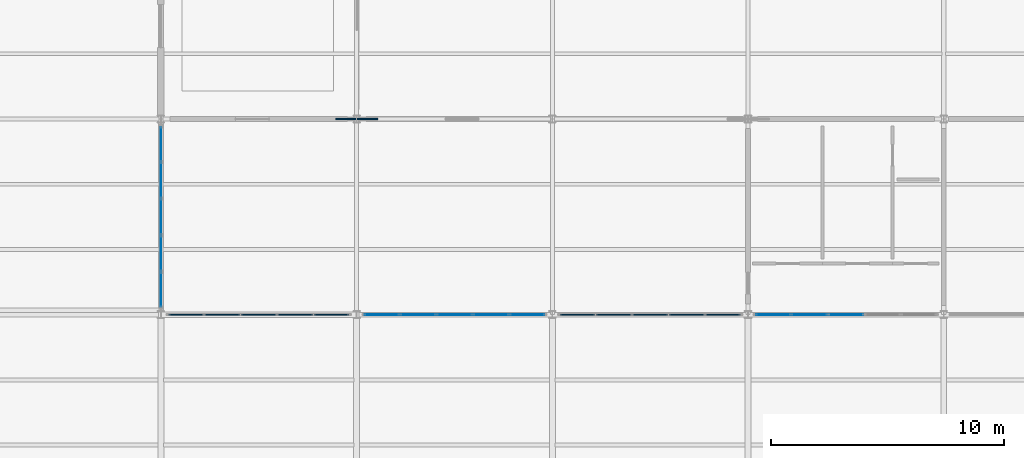
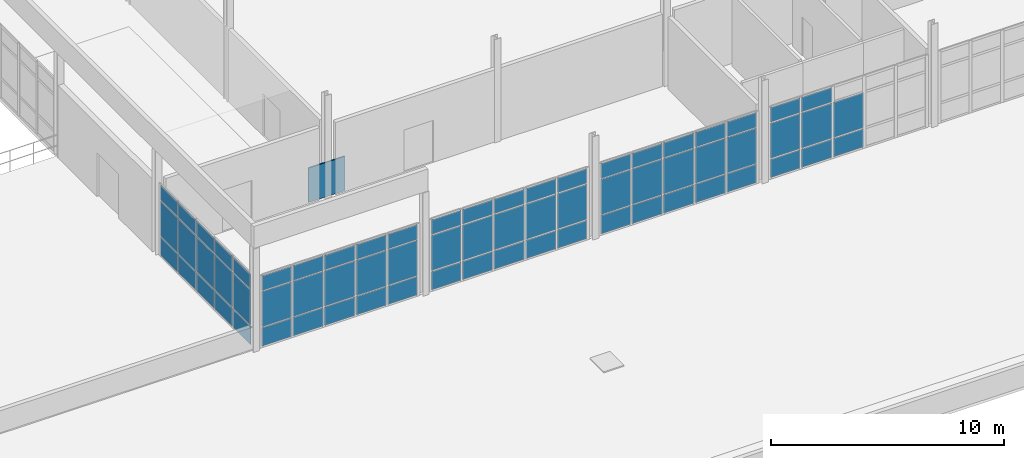
# One storey, part 24 of 33: 69 plates, 5 elements without a shape of their own.
"""IFC4 building model written with IfcOpenShell, lengths in metres."""

import ifcopenshell
import ifcopenshell.guid

model = None  # the IFC model being written
_history = None  # IfcOwnerHistory: only IFC2X3 demands one
_inside = {}  # id of a spatial element -> (the spatial element, [elements in it])
_under = {}  # id of a project, library or spatial element -> (it, [spatial elements below it])
_declared = {}  # id of a project -> (the project, [libraries it declares])
_typed = {}  # id of a type object -> (the type object, [elements of that type])
_made_of = {}  # id of a material, layer set ... -> (it, [elements and type objects made of it])


def new_model(schema):
    """Start an empty IFC model of exactly this schema.

    Asked for "IFC4X3", IfcOpenShell would pick the latest addendum, in which some entities
    have other attributes; the version numbers below select the first issue.
    IFC2X3 requires an IfcOwnerHistory on every rooted entity: one is made here for all.
    """
    global model, _history
    if schema == "IFC4X3":
        model = ifcopenshell.file(schema_version=(4, 3, 0, 0))
    else:
        model = ifcopenshell.file(schema=schema)
    _inside.clear()
    _under.clear()
    _declared.clear()
    _typed.clear()
    _made_of.clear()
    _history = None
    if model.schema == "IFC2X3":
        org = make("IfcOrganization", Name="unknown")
        user = make(
            "IfcPersonAndOrganization",
            ThePerson=make("IfcPerson", FamilyName="unknown"),
            TheOrganization=org,
        )
        app = make(
            "IfcApplication",
            ApplicationDeveloper=org,
            Version="unknown",
            ApplicationFullName="unknown",
            ApplicationIdentifier="unknown",
        )
        _history = make(
            "IfcOwnerHistory",
            OwningUser=user,
            OwningApplication=app,
            ChangeAction="ADDED",
            CreationDate=0,
        )
    return model


def make(cls, **values):
    """One entity of the class cls with the attributes given. An attribute that is None is left unset."""
    return model.create_entity(
        cls, **{name: value for name, value in values.items() if value is not None}
    )


def rooted(cls, **values):
    """An entity with a GlobalId (a new one), such as an element, a storey or a relation."""
    return make(cls, GlobalId=ifcopenshell.guid.new(), OwnerHistory=_history, **values)


def si_unit(unit_type, name, prefix=None):
    """IfcSIUnit, for example si_unit("LENGTHUNIT", "METRE", prefix="MILLI")."""
    return make("IfcSIUnit", UnitType=unit_type, Prefix=prefix, Name=name)


def assignment(units):
    """IfcUnitAssignment: the units of a project."""
    return None if units is None else make("IfcUnitAssignment", Units=units)


def point(xyz):
    """IfcCartesianPoint."""
    return None if xyz is None else make("IfcCartesianPoint", Coordinates=xyz)


def direction(xyz):
    """IfcDirection."""
    return None if xyz is None else make("IfcDirection", DirectionRatios=xyz)


def frame(location, z_axis=None, x_axis=None):
    """IfcAxis2Placement3D, a coordinate frame: its origin and axes. An axis left out is left unset."""
    return make(
        "IfcAxis2Placement3D",
        Location=point(location),
        Axis=direction(z_axis),
        RefDirection=direction(x_axis),
    )


def frame_2d(location, x_axis=None):
    """IfcAxis2Placement2D, a coordinate frame in the plane: its origin and x axis."""
    return make(
        "IfcAxis2Placement2D", Location=point(location), RefDirection=direction(x_axis)
    )


def origin():
    """The frame at (0, 0, 0) with its axes left unset."""
    return frame((0.0, 0.0, 0.0))


def origin_2d():
    """The frame at (0, 0) in the plane with its x axis left unset."""
    return frame_2d((0.0, 0.0))


def place(relative_to, where):
    """IfcLocalPlacement: puts the frame where relative to a parent placement (None: the world)."""
    return make(
        "IfcLocalPlacement", PlacementRelTo=relative_to, RelativePlacement=where
    )


def context(
    kind, dimensions, precision=None, world=None, true_north=None, identifier=None
):
    """IfcGeometricRepresentationContext, for example the 3D "Model" context."""
    return make(
        "IfcGeometricRepresentationContext",
        ContextIdentifier=identifier,
        ContextType=kind,
        CoordinateSpaceDimension=dimensions,
        Precision=precision,
        WorldCoordinateSystem=world,
        TrueNorth=true_north,
    )


def subcontext(parent, identifier, kind, view, scale=None):
    """IfcGeometricRepresentationSubContext, for example "Body" below "Model"."""
    return make(
        "IfcGeometricRepresentationSubContext",
        ContextIdentifier=identifier,
        ContextType=kind,
        ParentContext=parent,
        TargetScale=scale,
        TargetView=view,
    )


def project(units=None, contexts=None):
    """IfcProject with its units and contexts."""
    return rooted(
        "IfcProject",
        Name="project",
        RepresentationContexts=contexts,
        UnitsInContext=assignment(units),
    )


def spatial(cls, under=None, at=None, **own):
    """A site, building, storey or space (cls), placed at a placement, below another one or the project."""
    s = rooted(cls, ObjectPlacement=at, **own)
    if under is not None:
        _under.setdefault(under.id(), (under, []))[1].append(s)
    return s


def profile(cls, at=None, kind="AREA", **sizes):
    """A parametric profile (cls). Its sizes go by their IFC names, for example OverallWidth=200.0."""
    return make(cls, ProfileType=kind, Position=at, **sizes)


def rectangle(**sizes):
    """IfcRectangleProfileDef."""
    return profile("IfcRectangleProfileDef", **sizes)


def extrude(swept, where, along, depth):
    """IfcExtrudedAreaSolid: the profile swept, set in the frame where, extruded along a direction by depth."""
    return make(
        "IfcExtrudedAreaSolid",
        SweptArea=swept,
        Position=where,
        ExtrudedDirection=direction(along),
        Depth=depth,
    )


def shape(context_of_items, identifier, shape_type, items):
    """IfcShapeRepresentation: the items that make up one representation, for example the "Body"."""
    return make(
        "IfcShapeRepresentation",
        ContextOfItems=context_of_items,
        RepresentationIdentifier=identifier,
        RepresentationType=shape_type,
        Items=items,
    )


def material(Name=None, Category=None):
    """IfcMaterial."""
    return make("IfcMaterial", Name=Name, Category=Category)


def layer(
    of_material, thickness, ventilated=None, Name=None, Category=None, Priority=None
):
    """IfcMaterialLayer: one layer of a wall or slab, of a material (None: an air gap)."""
    return make(
        "IfcMaterialLayer",
        Material=of_material,
        LayerThickness=thickness,
        IsVentilated=ventilated,
        Name=Name,
        Category=Category,
        Priority=Priority,
    )


def layer_set(layers, Name=None):
    """IfcMaterialLayerSet."""
    return make("IfcMaterialLayerSet", MaterialLayers=layers, LayerSetName=Name)


def made_of(thing, what):
    """Note that an element or type object is made of a material, layer set ...; save() writes the relation."""
    if what is not None:
        _made_of.setdefault(what.id(), (what, []))[1].append(thing)
    return thing


def type_object(cls, material=None, **own):
    """A type object (cls), such as IfcWallType, which elements share."""
    return made_of(rooted(cls, **own), material)


def element(
    cls,
    number,
    at=None,
    inside=None,
    cuts=None,
    type_object=None,
    material=None,
    context=None,
    identifier="Body",
    shape_type=None,
    held_by="IfcProductDefinitionShape",
    body=None,
    shapes=None,
    **own,
):
    """One element of the class cls, such as IfcWall. Its Tag is "e" and its number.

    at: its placement. inside: the storey or other place that contains it. cuts: it is an
    opening in that element (IfcRelVoidsElement). A single representation is given by context,
    identifier, shape_type and body (its items); several are given by shapes. held_by: the class
    of the entity that holds the representations. save() writes the other relations.
    """
    e = rooted(cls, Tag="e%d" % number, ObjectPlacement=at, **own)
    if body is not None:
        shapes = [shape(context, identifier, shape_type, body)]
    if shapes is not None:
        e.Representation = make(held_by, Representations=shapes)
    if inside is not None:
        _inside.setdefault(inside.id(), (inside, []))[1].append(e)
    if cuts is not None:
        rooted(
            "IfcRelVoidsElement", RelatingBuildingElement=cuts, RelatedOpeningElement=e
        )
    if type_object is not None:
        _typed.setdefault(type_object.id(), (type_object, []))[1].append(e)
    return made_of(e, material)


def aggregate(whole, parts):
    """IfcRelAggregates: a whole, such as a stair, and the parts it consists of."""
    return rooted("IfcRelAggregates", RelatingObject=whole, RelatedObjects=parts)


def save(model, path):
    """Write the relations noted so far, then the file.

    IfcRelAggregates (storeys below a building ...), IfcRelContainedInSpatialStructure (elements
    in a storey), IfcRelDefinesByType, IfcRelAssociatesMaterial and IfcRelDeclares: one each for
    every whole, place, type object, material and project.
    """
    for whole, parts in _under.values():
        aggregate(whole, parts)
    for where, things in _inside.values():
        rooted(
            "IfcRelContainedInSpatialStructure",
            RelatedElements=things,
            RelatingStructure=where,
        )
    for kind, things in _typed.values():
        rooted("IfcRelDefinesByType", RelatedObjects=things, RelatingType=kind)
    for what, things in _made_of.values():
        rooted("IfcRelAssociatesMaterial", RelatedObjects=things, RelatingMaterial=what)
    for by, libraries in _declared.values():
        rooted("IfcRelDeclares", RelatingContext=by, RelatedDefinitions=libraries)
    model.write(path)


model = new_model("IFC4")

# Units and contexts
model_context = context("Model", 3, precision=1e-05, world=origin(), true_north=direction((0.0, 1.0)))
body_context = subcontext(model_context, "Body", "Model", "MODEL_VIEW")
ifc_project = project(units=[si_unit("LENGTHUNIT", "METRE"), si_unit("AREAUNIT", "SQUARE_METRE"), si_unit("VOLUMEUNIT", "CUBIC_METRE"), si_unit("PLANEANGLEUNIT", "RADIAN"), si_unit("MASSUNIT", "GRAM", prefix="KILO"), si_unit("THERMODYNAMICTEMPERATUREUNIT", "KELVIN"), si_unit("POWERUNIT", "WATT")], contexts=[model_context])

# Site, building, storey
site_placement = place(None, origin())
site = spatial("IfcSite", under=ifc_project, at=site_placement, CompositionType="ELEMENT")
building_placement = place(site_placement, origin())
building = spatial("IfcBuilding", under=site, at=building_placement, Name="Tembeka Court Mobility Hub", CompositionType="ELEMENT")
storey_placement = place(building_placement, frame((0.0, 0.0, 23.39990234375)))
storey = spatial("IfcBuildingStorey", under=building, at=storey_placement, Name="L06", CompositionType="ELEMENT", Elevation=23.39990234375)

# Plate
ifc_material_1 = material(Name="Perforated anodised aluminium acoustic screen", Category="aluminium")
ifc_layer_1 = layer(ifc_material_1, 0.06396484375)
ifc_layer_set_1 = layer_set([ifc_layer_1], Name="Perforated anodised aluminium acoustic screen")
plate_type_1 = type_object("IfcPlateType", Name="PL-AC01", PredefinedType="SHEET", material=ifc_layer_set_1)
plate_1_placement = place(storey_placement, frame((42.0, 46.800048828125, 0.0), z_axis=(0.0, 0.0, 1.0), x_axis=(1.0, 0.0, 0.0)))
element("IfcPlate", 1, at=plate_1_placement, inside=storey, type_object=plate_type_1, Name="Concourse acoustic baffle screen AP01-1", PredefinedType="SHEET", context=body_context, shape_type="SweptSolid", body=[
    extrude(rectangle(XDim=1.800048828125, YDim=0.06396484375, at=origin_2d()), origin(), (0.0, 0.0, 1.0), 1.800048828125),
])

# Curtain wall, plates
ifc_material_2 = material(Name="Anodised aluminium 6063-T6", Category="aluminium")
ifc_layer_2 = layer(ifc_material_2, 0.159912109375)
ifc_layer_set_2 = layer_set([ifc_layer_2], Name="Anodised aluminium 6063-T6")
curtain_wall_type = type_object("IfcCurtainWallType", Name="CW-SYS57", PredefinedType="USERDEFINED", material=ifc_layer_set_2)
curtain_wall_1_placement = place(storey_placement, origin())
curtain_wall_1 = element("IfcCurtainWall", 2, at=curtain_wall_1_placement, inside=storey, type_object=curtain_wall_type, Name="Unitised curtain wall CW57 (CW-L06-150)", ObjectType="UNITISED GLAZING", PredefinedType="USERDEFINED")
ifc_material_3 = material(Name="Laminated solar-control low-E glass", Category="glass")
ifc_layer_3 = layer(ifc_material_3, 0.028076171875)
ifc_layer_set_3 = layer_set([ifc_layer_3], Name="Laminated solar-control low-E glass")
plate_type_2 = type_object("IfcPlateType", Name="PL-CW01", PredefinedType="CURTAIN_PANEL", material=ifc_layer_set_3)
plate_2_placement = place(storey_placement, frame((33.60009765625, 39.480224609375, 0.06494140625), z_axis=(0.0, 0.0, 1.0), x_axis=(0.0, 1.0, 0.0)))
plate_2 = element("IfcPlate", 3, at=plate_2_placement, type_object=plate_type_2, Name="CW57 panel 1.1", PredefinedType="CURTAIN_PANEL", context=body_context, shape_type="SweptSolid", body=[
    extrude(rectangle(XDim=1.470458984375, YDim=0.028076171875, at=origin_2d()), origin(), (0.0, 0.0, 1.0), 0.952392578125),
])
plate_3_placement = place(storey_placement, frame((33.60009765625, 39.480224609375, 1.08251953125), z_axis=(0.0, 0.0, 1.0), x_axis=(0.0, 1.0, 0.0)))
plate_3 = element("IfcPlate", 4, at=plate_3_placement, type_object=plate_type_2, Name="CW57 panel 1.2", PredefinedType="CURTAIN_PANEL", context=body_context, shape_type="SweptSolid", body=[
    extrude(rectangle(XDim=1.470458984375, YDim=0.028076171875, at=origin_2d()), origin(), (0.0, 0.0, 1.0), 1.830078125),
])
plate_4_placement = place(storey_placement, frame((33.60009765625, 39.480224609375, 2.9775390625), z_axis=(0.0, 0.0, 1.0), x_axis=(0.0, 1.0, 0.0)))
plate_4 = element("IfcPlate", 5, at=plate_4_placement, type_object=plate_type_2, Name="CW57 panel 1.3", PredefinedType="CURTAIN_PANEL", context=body_context, shape_type="SweptSolid", body=[
    extrude(rectangle(XDim=1.470458984375, YDim=0.028076171875, at=origin_2d()), origin(), (0.0, 0.0, 1.0), 0.75244140625),
])
plate_5_placement = place(storey_placement, frame((33.60009765625, 41.031982421875, 0.06494140625), z_axis=(0.0, 0.0, 1.0), x_axis=(0.0, 1.0, 0.0)))
plate_5 = element("IfcPlate", 6, at=plate_5_placement, type_object=plate_type_2, Name="CW57 panel 2.1", PredefinedType="CURTAIN_PANEL", context=body_context, shape_type="SweptSolid", body=[
    extrude(rectangle(XDim=1.5029296875, YDim=0.028076171875, at=origin_2d()), origin(), (0.0, 0.0, 1.0), 0.952392578125),
])
plate_6_placement = place(storey_placement, frame((33.60009765625, 41.031982421875, 1.08251953125), z_axis=(0.0, 0.0, 1.0), x_axis=(0.0, 1.0, 0.0)))
plate_6 = element("IfcPlate", 7, at=plate_6_placement, type_object=plate_type_2, Name="CW57 panel 2.2", PredefinedType="CURTAIN_PANEL", context=body_context, shape_type="SweptSolid", body=[
    extrude(rectangle(XDim=1.5029296875, YDim=0.028076171875, at=origin_2d()), origin(), (0.0, 0.0, 1.0), 1.830078125),
])
plate_7_placement = place(storey_placement, frame((33.60009765625, 41.031982421875, 2.9775390625), z_axis=(0.0, 0.0, 1.0), x_axis=(0.0, 1.0, 0.0)))
plate_7 = element("IfcPlate", 8, at=plate_7_placement, type_object=plate_type_2, Name="CW57 panel 2.3", PredefinedType="CURTAIN_PANEL", context=body_context, shape_type="SweptSolid", body=[
    extrude(rectangle(XDim=1.5029296875, YDim=0.028076171875, at=origin_2d()), origin(), (0.0, 0.0, 1.0), 0.75244140625),
])
plate_8_placement = place(storey_placement, frame((33.60009765625, 42.60009765625, 0.06494140625), z_axis=(0.0, 0.0, 1.0), x_axis=(0.0, 1.0, 0.0)))
plate_8 = element("IfcPlate", 9, at=plate_8_placement, type_object=plate_type_2, Name="CW57 panel 3.1", PredefinedType="CURTAIN_PANEL", context=body_context, shape_type="SweptSolid", body=[
    extrude(rectangle(XDim=1.5029296875, YDim=0.028076171875, at=origin_2d()), origin(), (0.0, 0.0, 1.0), 0.952392578125),
])
plate_9_placement = place(storey_placement, frame((33.60009765625, 42.60009765625, 1.08251953125), z_axis=(0.0, 0.0, 1.0), x_axis=(0.0, 1.0, 0.0)))
plate_9 = element("IfcPlate", 10, at=plate_9_placement, type_object=plate_type_2, Name="CW57 panel 3.2", PredefinedType="CURTAIN_PANEL", context=body_context, shape_type="SweptSolid", body=[
    extrude(rectangle(XDim=1.5029296875, YDim=0.028076171875, at=origin_2d()), origin(), (0.0, 0.0, 1.0), 1.830078125),
])
plate_10_placement = place(storey_placement, frame((33.60009765625, 42.60009765625, 2.9775390625), z_axis=(0.0, 0.0, 1.0), x_axis=(0.0, 1.0, 0.0)))
plate_10 = element("IfcPlate", 11, at=plate_10_placement, type_object=plate_type_2, Name="CW57 panel 3.3", PredefinedType="CURTAIN_PANEL", context=body_context, shape_type="SweptSolid", body=[
    extrude(rectangle(XDim=1.5029296875, YDim=0.028076171875, at=origin_2d()), origin(), (0.0, 0.0, 1.0), 0.75244140625),
])
plate_11_placement = place(storey_placement, frame((33.60009765625, 44.16796875, 0.06494140625), z_axis=(0.0, 0.0, 1.0), x_axis=(0.0, 1.0, 0.0)))
plate_11 = element("IfcPlate", 12, at=plate_11_placement, type_object=plate_type_2, Name="CW57 panel 4.1", PredefinedType="CURTAIN_PANEL", context=body_context, shape_type="SweptSolid", body=[
    extrude(rectangle(XDim=1.5029296875, YDim=0.028076171875, at=origin_2d()), origin(), (0.0, 0.0, 1.0), 0.952392578125),
])
plate_12_placement = place(storey_placement, frame((33.60009765625, 44.16796875, 1.08251953125), z_axis=(0.0, 0.0, 1.0), x_axis=(0.0, 1.0, 0.0)))
plate_12 = element("IfcPlate", 13, at=plate_12_placement, type_object=plate_type_2, Name="CW57 panel 4.2", PredefinedType="CURTAIN_PANEL", context=body_context, shape_type="SweptSolid", body=[
    extrude(rectangle(XDim=1.5029296875, YDim=0.028076171875, at=origin_2d()), origin(), (0.0, 0.0, 1.0), 1.830078125),
])
plate_13_placement = place(storey_placement, frame((33.60009765625, 44.16796875, 2.9775390625), z_axis=(0.0, 0.0, 1.0), x_axis=(0.0, 1.0, 0.0)))
plate_13 = element("IfcPlate", 14, at=plate_13_placement, type_object=plate_type_2, Name="CW57 panel 4.3", PredefinedType="CURTAIN_PANEL", context=body_context, shape_type="SweptSolid", body=[
    extrude(rectangle(XDim=1.5029296875, YDim=0.028076171875, at=origin_2d()), origin(), (0.0, 0.0, 1.0), 0.75244140625),
])
plate_14_placement = place(storey_placement, frame((33.60009765625, 45.7197265625, 0.06494140625), z_axis=(0.0, 0.0, 1.0), x_axis=(0.0, 1.0, 0.0)))
plate_14 = element("IfcPlate", 15, at=plate_14_placement, type_object=plate_type_2, Name="CW57 panel 5.1", PredefinedType="CURTAIN_PANEL", context=body_context, shape_type="SweptSolid", body=[
    extrude(rectangle(XDim=1.470458984375, YDim=0.028076171875, at=origin_2d()), origin(), (0.0, 0.0, 1.0), 0.952392578125),
])
plate_15_placement = place(storey_placement, frame((33.60009765625, 45.7197265625, 1.08251953125), z_axis=(0.0, 0.0, 1.0), x_axis=(0.0, 1.0, 0.0)))
plate_15 = element("IfcPlate", 16, at=plate_15_placement, type_object=plate_type_2, Name="CW57 panel 5.2", PredefinedType="CURTAIN_PANEL", context=body_context, shape_type="SweptSolid", body=[
    extrude(rectangle(XDim=1.470458984375, YDim=0.028076171875, at=origin_2d()), origin(), (0.0, 0.0, 1.0), 1.830078125),
])
plate_16_placement = place(storey_placement, frame((33.60009765625, 45.7197265625, 2.9775390625), z_axis=(0.0, 0.0, 1.0), x_axis=(0.0, 1.0, 0.0)))
plate_16 = element("IfcPlate", 17, at=plate_16_placement, type_object=plate_type_2, Name="CW57 panel 5.3", PredefinedType="CURTAIN_PANEL", context=body_context, shape_type="SweptSolid", body=[
    extrude(rectangle(XDim=1.470458984375, YDim=0.028076171875, at=origin_2d()), origin(), (0.0, 0.0, 1.0), 0.75244140625),
])
aggregate(curtain_wall_1, [plate_2, plate_3, plate_4, plate_5, plate_6, plate_7, plate_8, plate_9, plate_10, plate_11, plate_12, plate_13, plate_14, plate_15, plate_16])

curtain_wall_2_placement = place(storey_placement, origin())
curtain_wall_2 = element("IfcCurtainWall", 18, at=curtain_wall_2_placement, inside=storey, type_object=curtain_wall_type, Name="Unitised curtain wall CW57 (CW-L06-154)", ObjectType="UNITISED GLAZING", PredefinedType="USERDEFINED")
plate_17_placement = place(storey_placement, frame((43.080322265625, 38.39990234375, 0.06494140625), z_axis=(0.0, 0.0, 1.0), x_axis=(1.0, 0.0, 0.0)))
plate_17 = element("IfcPlate", 19, at=plate_17_placement, type_object=plate_type_2, Name="CW57 panel 1.1", PredefinedType="CURTAIN_PANEL", context=body_context, shape_type="SweptSolid", body=[
    extrude(rectangle(XDim=1.470458984375, YDim=0.028076171875, at=origin_2d()), origin(), (0.0, 0.0, 1.0), 0.952392578125),
])
plate_18_placement = place(storey_placement, frame((43.080322265625, 38.39990234375, 1.08251953125), z_axis=(0.0, 0.0, 1.0), x_axis=(1.0, 0.0, 0.0)))
plate_18 = element("IfcPlate", 20, at=plate_18_placement, type_object=plate_type_2, Name="CW57 panel 1.2", PredefinedType="CURTAIN_PANEL", context=body_context, shape_type="SweptSolid", body=[
    extrude(rectangle(XDim=1.470458984375, YDim=0.028076171875, at=origin_2d()), origin(), (0.0, 0.0, 1.0), 1.830078125),
])
plate_19_placement = place(storey_placement, frame((43.080322265625, 38.39990234375, 2.9775390625), z_axis=(0.0, 0.0, 1.0), x_axis=(1.0, 0.0, 0.0)))
plate_19 = element("IfcPlate", 21, at=plate_19_placement, type_object=plate_type_2, Name="CW57 panel 1.3", PredefinedType="CURTAIN_PANEL", context=body_context, shape_type="SweptSolid", body=[
    extrude(rectangle(XDim=1.470458984375, YDim=0.028076171875, at=origin_2d()), origin(), (0.0, 0.0, 1.0), 0.75244140625),
])
plate_20_placement = place(storey_placement, frame((44.632080078125, 38.39990234375, 0.06494140625), z_axis=(0.0, 0.0, 1.0), x_axis=(1.0, 0.0, 0.0)))
plate_20 = element("IfcPlate", 22, at=plate_20_placement, type_object=plate_type_2, Name="CW57 panel 2.1", PredefinedType="CURTAIN_PANEL", context=body_context, shape_type="SweptSolid", body=[
    extrude(rectangle(XDim=1.5029296875, YDim=0.028076171875, at=origin_2d()), origin(), (0.0, 0.0, 1.0), 0.952392578125),
])
plate_21_placement = place(storey_placement, frame((44.632080078125, 38.39990234375, 1.08251953125), z_axis=(0.0, 0.0, 1.0), x_axis=(1.0, 0.0, 0.0)))
plate_21 = element("IfcPlate", 23, at=plate_21_placement, type_object=plate_type_2, Name="CW57 panel 2.2", PredefinedType="CURTAIN_PANEL", context=body_context, shape_type="SweptSolid", body=[
    extrude(rectangle(XDim=1.5029296875, YDim=0.028076171875, at=origin_2d()), origin(), (0.0, 0.0, 1.0), 1.830078125),
])
plate_22_placement = place(storey_placement, frame((44.632080078125, 38.39990234375, 2.9775390625), z_axis=(0.0, 0.0, 1.0), x_axis=(1.0, 0.0, 0.0)))
plate_22 = element("IfcPlate", 24, at=plate_22_placement, type_object=plate_type_2, Name="CW57 panel 2.3", PredefinedType="CURTAIN_PANEL", context=body_context, shape_type="SweptSolid", body=[
    extrude(rectangle(XDim=1.5029296875, YDim=0.028076171875, at=origin_2d()), origin(), (0.0, 0.0, 1.0), 0.75244140625),
])
plate_23_placement = place(storey_placement, frame((46.199951171875, 38.39990234375, 0.06494140625), z_axis=(0.0, 0.0, 1.0), x_axis=(1.0, 0.0, 0.0)))
plate_23 = element("IfcPlate", 25, at=plate_23_placement, type_object=plate_type_2, Name="CW57 panel 3.1", PredefinedType="CURTAIN_PANEL", context=body_context, shape_type="SweptSolid", body=[
    extrude(rectangle(XDim=1.5029296875, YDim=0.028076171875, at=origin_2d()), origin(), (0.0, 0.0, 1.0), 0.952392578125),
])
plate_24_placement = place(storey_placement, frame((46.199951171875, 38.39990234375, 1.08251953125), z_axis=(0.0, 0.0, 1.0), x_axis=(1.0, 0.0, 0.0)))
plate_24 = element("IfcPlate", 26, at=plate_24_placement, type_object=plate_type_2, Name="CW57 panel 3.2", PredefinedType="CURTAIN_PANEL", context=body_context, shape_type="SweptSolid", body=[
    extrude(rectangle(XDim=1.5029296875, YDim=0.028076171875, at=origin_2d()), origin(), (0.0, 0.0, 1.0), 1.830078125),
])
plate_25_placement = place(storey_placement, frame((46.199951171875, 38.39990234375, 2.9775390625), z_axis=(0.0, 0.0, 1.0), x_axis=(1.0, 0.0, 0.0)))
plate_25 = element("IfcPlate", 27, at=plate_25_placement, type_object=plate_type_2, Name="CW57 panel 3.3", PredefinedType="CURTAIN_PANEL", context=body_context, shape_type="SweptSolid", body=[
    extrude(rectangle(XDim=1.5029296875, YDim=0.028076171875, at=origin_2d()), origin(), (0.0, 0.0, 1.0), 0.75244140625),
])
plate_26_placement = place(storey_placement, frame((47.76806640625, 38.39990234375, 0.06494140625), z_axis=(0.0, 0.0, 1.0), x_axis=(1.0, 0.0, 0.0)))
plate_26 = element("IfcPlate", 28, at=plate_26_placement, type_object=plate_type_2, Name="CW57 panel 4.1", PredefinedType="CURTAIN_PANEL", context=body_context, shape_type="SweptSolid", body=[
    extrude(rectangle(XDim=1.5029296875, YDim=0.028076171875, at=origin_2d()), origin(), (0.0, 0.0, 1.0), 0.952392578125),
])
plate_27_placement = place(storey_placement, frame((47.76806640625, 38.39990234375, 1.08251953125), z_axis=(0.0, 0.0, 1.0), x_axis=(1.0, 0.0, 0.0)))
plate_27 = element("IfcPlate", 29, at=plate_27_placement, type_object=plate_type_2, Name="CW57 panel 4.2", PredefinedType="CURTAIN_PANEL", context=body_context, shape_type="SweptSolid", body=[
    extrude(rectangle(XDim=1.5029296875, YDim=0.028076171875, at=origin_2d()), origin(), (0.0, 0.0, 1.0), 1.830078125),
])
plate_28_placement = place(storey_placement, frame((47.76806640625, 38.39990234375, 2.9775390625), z_axis=(0.0, 0.0, 1.0), x_axis=(1.0, 0.0, 0.0)))
plate_28 = element("IfcPlate", 30, at=plate_28_placement, type_object=plate_type_2, Name="CW57 panel 4.3", PredefinedType="CURTAIN_PANEL", context=body_context, shape_type="SweptSolid", body=[
    extrude(rectangle(XDim=1.5029296875, YDim=0.028076171875, at=origin_2d()), origin(), (0.0, 0.0, 1.0), 0.75244140625),
])
plate_29_placement = place(storey_placement, frame((49.31982421875, 38.39990234375, 0.06494140625), z_axis=(0.0, 0.0, 1.0), x_axis=(1.0, 0.0, 0.0)))
plate_29 = element("IfcPlate", 31, at=plate_29_placement, type_object=plate_type_2, Name="CW57 panel 5.1", PredefinedType="CURTAIN_PANEL", context=body_context, shape_type="SweptSolid", body=[
    extrude(rectangle(XDim=1.470458984375, YDim=0.028076171875, at=origin_2d()), origin(), (0.0, 0.0, 1.0), 0.952392578125),
])
plate_30_placement = place(storey_placement, frame((49.31982421875, 38.39990234375, 1.08251953125), z_axis=(0.0, 0.0, 1.0), x_axis=(1.0, 0.0, 0.0)))
plate_30 = element("IfcPlate", 32, at=plate_30_placement, type_object=plate_type_2, Name="CW57 panel 5.2", PredefinedType="CURTAIN_PANEL", context=body_context, shape_type="SweptSolid", body=[
    extrude(rectangle(XDim=1.470458984375, YDim=0.028076171875, at=origin_2d()), origin(), (0.0, 0.0, 1.0), 1.830078125),
])
plate_31_placement = place(storey_placement, frame((49.31982421875, 38.39990234375, 2.9775390625), z_axis=(0.0, 0.0, 1.0), x_axis=(1.0, 0.0, 0.0)))
plate_31 = element("IfcPlate", 33, at=plate_31_placement, type_object=plate_type_2, Name="CW57 panel 5.3", PredefinedType="CURTAIN_PANEL", context=body_context, shape_type="SweptSolid", body=[
    extrude(rectangle(XDim=1.470458984375, YDim=0.028076171875, at=origin_2d()), origin(), (0.0, 0.0, 1.0), 0.75244140625),
])
aggregate(curtain_wall_2, [plate_17, plate_18, plate_19, plate_20, plate_21, plate_22, plate_23, plate_24, plate_25, plate_26, plate_27, plate_28, plate_29, plate_30, plate_31])

curtain_wall_3_placement = place(storey_placement, origin())
curtain_wall_3 = element("IfcCurtainWall", 34, at=curtain_wall_3_placement, inside=storey, type_object=curtain_wall_type, Name="Unitised curtain wall CW57 (CW-L06-158)", ObjectType="UNITISED GLAZING", PredefinedType="USERDEFINED")
plate_32_placement = place(storey_placement, frame((59.88037109375, 38.39990234375, 0.06494140625), z_axis=(0.0, 0.0, 1.0), x_axis=(1.0, 0.0, 0.0)))
plate_32 = element("IfcPlate", 35, at=plate_32_placement, type_object=plate_type_2, Name="CW57 panel 1.1", PredefinedType="CURTAIN_PANEL", context=body_context, shape_type="SweptSolid", body=[
    extrude(rectangle(XDim=1.470458984375, YDim=0.028076171875, at=origin_2d()), origin(), (0.0, 0.0, 1.0), 0.952392578125),
])
plate_33_placement = place(storey_placement, frame((59.88037109375, 38.39990234375, 1.08251953125), z_axis=(0.0, 0.0, 1.0), x_axis=(1.0, 0.0, 0.0)))
plate_33 = element("IfcPlate", 36, at=plate_33_placement, type_object=plate_type_2, Name="CW57 panel 1.2", PredefinedType="CURTAIN_PANEL", context=body_context, shape_type="SweptSolid", body=[
    extrude(rectangle(XDim=1.470458984375, YDim=0.028076171875, at=origin_2d()), origin(), (0.0, 0.0, 1.0), 1.830078125),
])
plate_34_placement = place(storey_placement, frame((59.88037109375, 38.39990234375, 2.9775390625), z_axis=(0.0, 0.0, 1.0), x_axis=(1.0, 0.0, 0.0)))
plate_34 = element("IfcPlate", 37, at=plate_34_placement, type_object=plate_type_2, Name="CW57 panel 1.3", PredefinedType="CURTAIN_PANEL", context=body_context, shape_type="SweptSolid", body=[
    extrude(rectangle(XDim=1.470458984375, YDim=0.028076171875, at=origin_2d()), origin(), (0.0, 0.0, 1.0), 0.75244140625),
])
plate_35_placement = place(storey_placement, frame((61.431884765625, 38.39990234375, 0.06494140625), z_axis=(0.0, 0.0, 1.0), x_axis=(1.0, 0.0, 0.0)))
plate_35 = element("IfcPlate", 38, at=plate_35_placement, type_object=plate_type_2, Name="CW57 panel 2.1", PredefinedType="CURTAIN_PANEL", context=body_context, shape_type="SweptSolid", body=[
    extrude(rectangle(XDim=1.5029296875, YDim=0.028076171875, at=origin_2d()), origin(), (0.0, 0.0, 1.0), 0.952392578125),
])
plate_36_placement = place(storey_placement, frame((61.431884765625, 38.39990234375, 1.08251953125), z_axis=(0.0, 0.0, 1.0), x_axis=(1.0, 0.0, 0.0)))
plate_36 = element("IfcPlate", 39, at=plate_36_placement, type_object=plate_type_2, Name="CW57 panel 2.2", PredefinedType="CURTAIN_PANEL", context=body_context, shape_type="SweptSolid", body=[
    extrude(rectangle(XDim=1.5029296875, YDim=0.028076171875, at=origin_2d()), origin(), (0.0, 0.0, 1.0), 1.830078125),
])
plate_37_placement = place(storey_placement, frame((61.431884765625, 38.39990234375, 2.9775390625), z_axis=(0.0, 0.0, 1.0), x_axis=(1.0, 0.0, 0.0)))
plate_37 = element("IfcPlate", 40, at=plate_37_placement, type_object=plate_type_2, Name="CW57 panel 2.3", PredefinedType="CURTAIN_PANEL", context=body_context, shape_type="SweptSolid", body=[
    extrude(rectangle(XDim=1.5029296875, YDim=0.028076171875, at=origin_2d()), origin(), (0.0, 0.0, 1.0), 0.75244140625),
])
plate_38_placement = place(storey_placement, frame((63.0, 38.39990234375, 0.06494140625), z_axis=(0.0, 0.0, 1.0), x_axis=(1.0, 0.0, 0.0)))
plate_38 = element("IfcPlate", 41, at=plate_38_placement, type_object=plate_type_2, Name="CW57 panel 3.1", PredefinedType="CURTAIN_PANEL", context=body_context, shape_type="SweptSolid", body=[
    extrude(rectangle(XDim=1.5029296875, YDim=0.028076171875, at=origin_2d()), origin(), (0.0, 0.0, 1.0), 0.952392578125),
])
plate_39_placement = place(storey_placement, frame((63.0, 38.39990234375, 1.08251953125), z_axis=(0.0, 0.0, 1.0), x_axis=(1.0, 0.0, 0.0)))
plate_39 = element("IfcPlate", 42, at=plate_39_placement, type_object=plate_type_2, Name="CW57 panel 3.2", PredefinedType="CURTAIN_PANEL", context=body_context, shape_type="SweptSolid", body=[
    extrude(rectangle(XDim=1.5029296875, YDim=0.028076171875, at=origin_2d()), origin(), (0.0, 0.0, 1.0), 1.830078125),
])
aggregate(curtain_wall_3, [plate_32, plate_33, plate_34, plate_35, plate_36, plate_37, plate_38, plate_39])

curtain_wall_4_placement = place(storey_placement, origin())
curtain_wall_4 = element("IfcCurtainWall", 43, at=curtain_wall_4_placement, inside=storey, type_object=curtain_wall_type, Name="Unitised curtain wall CW57 (CW-L06-152)", ObjectType="UNITISED GLAZING", PredefinedType="USERDEFINED")
ifc_material_4 = material(Name="Insulated aluminium spandrel panel", Category="aluminium")
ifc_layer_4 = layer(ifc_material_4, 0.052001953125)
ifc_layer_set_4 = layer_set([ifc_layer_4], Name="Insulated aluminium spandrel panel")
plate_type_3 = type_object("IfcPlateType", Name="PL-CW02", PredefinedType="CURTAIN_PANEL", material=ifc_layer_set_4)
plate_40_placement = place(storey_placement, frame((34.68017578125, 38.39990234375, 0.06494140625), z_axis=(0.0, 0.0, 1.0), x_axis=(1.0, 0.0, 0.0)))
plate_40 = element("IfcPlate", 44, at=plate_40_placement, type_object=plate_type_3, Name="CW57 panel 1.1", PredefinedType="CURTAIN_PANEL", context=body_context, shape_type="SweptSolid", body=[
    extrude(rectangle(XDim=1.470458984375, YDim=0.052001953125, at=origin_2d()), origin(), (0.0, 0.0, 1.0), 0.952392578125),
])
plate_41_placement = place(storey_placement, frame((34.68017578125, 38.39990234375, 1.08251953125), z_axis=(0.0, 0.0, 1.0), x_axis=(1.0, 0.0, 0.0)))
plate_41 = element("IfcPlate", 45, at=plate_41_placement, type_object=plate_type_3, Name="CW57 panel 1.2", PredefinedType="CURTAIN_PANEL", context=body_context, shape_type="SweptSolid", body=[
    extrude(rectangle(XDim=1.470458984375, YDim=0.052001953125, at=origin_2d()), origin(), (0.0, 0.0, 1.0), 1.830078125),
])
plate_42_placement = place(storey_placement, frame((34.68017578125, 38.39990234375, 2.9775390625), z_axis=(0.0, 0.0, 1.0), x_axis=(1.0, 0.0, 0.0)))
plate_42 = element("IfcPlate", 46, at=plate_42_placement, type_object=plate_type_3, Name="CW57 panel 1.3", PredefinedType="CURTAIN_PANEL", context=body_context, shape_type="SweptSolid", body=[
    extrude(rectangle(XDim=1.470458984375, YDim=0.052001953125, at=origin_2d()), origin(), (0.0, 0.0, 1.0), 0.75244140625),
])
plate_43_placement = place(storey_placement, frame((36.23193359375, 38.39990234375, 0.06494140625), z_axis=(0.0, 0.0, 1.0), x_axis=(1.0, 0.0, 0.0)))
plate_43 = element("IfcPlate", 47, at=plate_43_placement, type_object=plate_type_3, Name="CW57 panel 2.1", PredefinedType="CURTAIN_PANEL", context=body_context, shape_type="SweptSolid", body=[
    extrude(rectangle(XDim=1.5029296875, YDim=0.052001953125, at=origin_2d()), origin(), (0.0, 0.0, 1.0), 0.952392578125),
])
plate_44_placement = place(storey_placement, frame((36.23193359375, 38.39990234375, 1.08251953125), z_axis=(0.0, 0.0, 1.0), x_axis=(1.0, 0.0, 0.0)))
plate_44 = element("IfcPlate", 48, at=plate_44_placement, type_object=plate_type_3, Name="CW57 panel 2.2", PredefinedType="CURTAIN_PANEL", context=body_context, shape_type="SweptSolid", body=[
    extrude(rectangle(XDim=1.5029296875, YDim=0.052001953125, at=origin_2d()), origin(), (0.0, 0.0, 1.0), 1.830078125),
])
plate_45_placement = place(storey_placement, frame((36.23193359375, 38.39990234375, 2.9775390625), z_axis=(0.0, 0.0, 1.0), x_axis=(1.0, 0.0, 0.0)))
plate_45 = element("IfcPlate", 49, at=plate_45_placement, type_object=plate_type_3, Name="CW57 panel 2.3", PredefinedType="CURTAIN_PANEL", context=body_context, shape_type="SweptSolid", body=[
    extrude(rectangle(XDim=1.5029296875, YDim=0.052001953125, at=origin_2d()), origin(), (0.0, 0.0, 1.0), 0.75244140625),
])
plate_46_placement = place(storey_placement, frame((37.800048828125, 38.39990234375, 0.06494140625), z_axis=(0.0, 0.0, 1.0), x_axis=(1.0, 0.0, 0.0)))
plate_46 = element("IfcPlate", 50, at=plate_46_placement, type_object=plate_type_3, Name="CW57 panel 3.1", PredefinedType="CURTAIN_PANEL", context=body_context, shape_type="SweptSolid", body=[
    extrude(rectangle(XDim=1.5029296875, YDim=0.052001953125, at=origin_2d()), origin(), (0.0, 0.0, 1.0), 0.952392578125),
])
plate_47_placement = place(storey_placement, frame((37.800048828125, 38.39990234375, 1.08251953125), z_axis=(0.0, 0.0, 1.0), x_axis=(1.0, 0.0, 0.0)))
plate_47 = element("IfcPlate", 51, at=plate_47_placement, type_object=plate_type_3, Name="CW57 panel 3.2", PredefinedType="CURTAIN_PANEL", context=body_context, shape_type="SweptSolid", body=[
    extrude(rectangle(XDim=1.5029296875, YDim=0.052001953125, at=origin_2d()), origin(), (0.0, 0.0, 1.0), 1.830078125),
])
plate_48_placement = place(storey_placement, frame((37.800048828125, 38.39990234375, 2.9775390625), z_axis=(0.0, 0.0, 1.0), x_axis=(1.0, 0.0, 0.0)))
plate_48 = element("IfcPlate", 52, at=plate_48_placement, type_object=plate_type_3, Name="CW57 panel 3.3", PredefinedType="CURTAIN_PANEL", context=body_context, shape_type="SweptSolid", body=[
    extrude(rectangle(XDim=1.5029296875, YDim=0.052001953125, at=origin_2d()), origin(), (0.0, 0.0, 1.0), 0.75244140625),
])
plate_49_placement = place(storey_placement, frame((39.367919921875, 38.39990234375, 0.06494140625), z_axis=(0.0, 0.0, 1.0), x_axis=(1.0, 0.0, 0.0)))
plate_49 = element("IfcPlate", 53, at=plate_49_placement, type_object=plate_type_3, Name="CW57 panel 4.1", PredefinedType="CURTAIN_PANEL", context=body_context, shape_type="SweptSolid", body=[
    extrude(rectangle(XDim=1.5029296875, YDim=0.052001953125, at=origin_2d()), origin(), (0.0, 0.0, 1.0), 0.952392578125),
])
plate_50_placement = place(storey_placement, frame((39.367919921875, 38.39990234375, 1.08251953125), z_axis=(0.0, 0.0, 1.0), x_axis=(1.0, 0.0, 0.0)))
plate_50 = element("IfcPlate", 54, at=plate_50_placement, type_object=plate_type_3, Name="CW57 panel 4.2", PredefinedType="CURTAIN_PANEL", context=body_context, shape_type="SweptSolid", body=[
    extrude(rectangle(XDim=1.5029296875, YDim=0.052001953125, at=origin_2d()), origin(), (0.0, 0.0, 1.0), 1.830078125),
])
plate_51_placement = place(storey_placement, frame((39.367919921875, 38.39990234375, 2.9775390625), z_axis=(0.0, 0.0, 1.0), x_axis=(1.0, 0.0, 0.0)))
plate_51 = element("IfcPlate", 55, at=plate_51_placement, type_object=plate_type_3, Name="CW57 panel 4.3", PredefinedType="CURTAIN_PANEL", context=body_context, shape_type="SweptSolid", body=[
    extrude(rectangle(XDim=1.5029296875, YDim=0.052001953125, at=origin_2d()), origin(), (0.0, 0.0, 1.0), 0.75244140625),
])
plate_52_placement = place(storey_placement, frame((40.919677734375, 38.39990234375, 0.06494140625), z_axis=(0.0, 0.0, 1.0), x_axis=(1.0, 0.0, 0.0)))
plate_52 = element("IfcPlate", 56, at=plate_52_placement, type_object=plate_type_3, Name="CW57 panel 5.1", PredefinedType="CURTAIN_PANEL", context=body_context, shape_type="SweptSolid", body=[
    extrude(rectangle(XDim=1.470458984375, YDim=0.052001953125, at=origin_2d()), origin(), (0.0, 0.0, 1.0), 0.952392578125),
])
plate_53_placement = place(storey_placement, frame((40.919677734375, 38.39990234375, 1.08251953125), z_axis=(0.0, 0.0, 1.0), x_axis=(1.0, 0.0, 0.0)))
plate_53 = element("IfcPlate", 57, at=plate_53_placement, type_object=plate_type_3, Name="CW57 panel 5.2", PredefinedType="CURTAIN_PANEL", context=body_context, shape_type="SweptSolid", body=[
    extrude(rectangle(XDim=1.470458984375, YDim=0.052001953125, at=origin_2d()), origin(), (0.0, 0.0, 1.0), 1.830078125),
])
plate_54_placement = place(storey_placement, frame((40.919677734375, 38.39990234375, 2.9775390625), z_axis=(0.0, 0.0, 1.0), x_axis=(1.0, 0.0, 0.0)))
plate_54 = element("IfcPlate", 58, at=plate_54_placement, type_object=plate_type_3, Name="CW57 panel 5.3", PredefinedType="CURTAIN_PANEL", context=body_context, shape_type="SweptSolid", body=[
    extrude(rectangle(XDim=1.470458984375, YDim=0.052001953125, at=origin_2d()), origin(), (0.0, 0.0, 1.0), 0.75244140625),
])
aggregate(curtain_wall_4, [plate_40, plate_41, plate_42, plate_43, plate_44, plate_45, plate_46, plate_47, plate_48, plate_49, plate_50, plate_51, plate_52, plate_53, plate_54])

curtain_wall_5_placement = place(storey_placement, origin())
curtain_wall_5 = element("IfcCurtainWall", 59, at=curtain_wall_5_placement, inside=storey, type_object=curtain_wall_type, Name="Unitised curtain wall CW57 (CW-L06-156)", ObjectType="UNITISED GLAZING", PredefinedType="USERDEFINED")
plate_55_placement = place(storey_placement, frame((51.480224609375, 38.39990234375, 0.06494140625), z_axis=(0.0, 0.0, 1.0), x_axis=(1.0, 0.0, 0.0)))
plate_55 = element("IfcPlate", 60, at=plate_55_placement, type_object=plate_type_3, Name="CW57 panel 1.1", PredefinedType="CURTAIN_PANEL", context=body_context, shape_type="SweptSolid", body=[
    extrude(rectangle(XDim=1.470458984375, YDim=0.052001953125, at=origin_2d()), origin(), (0.0, 0.0, 1.0), 0.952392578125),
])
plate_56_placement = place(storey_placement, frame((51.480224609375, 38.39990234375, 1.08251953125), z_axis=(0.0, 0.0, 1.0), x_axis=(1.0, 0.0, 0.0)))
plate_56 = element("IfcPlate", 61, at=plate_56_placement, type_object=plate_type_3, Name="CW57 panel 1.2", PredefinedType="CURTAIN_PANEL", context=body_context, shape_type="SweptSolid", body=[
    extrude(rectangle(XDim=1.470458984375, YDim=0.052001953125, at=origin_2d()), origin(), (0.0, 0.0, 1.0), 1.830078125),
])
plate_57_placement = place(storey_placement, frame((51.480224609375, 38.39990234375, 2.9775390625), z_axis=(0.0, 0.0, 1.0), x_axis=(1.0, 0.0, 0.0)))
plate_57 = element("IfcPlate", 62, at=plate_57_placement, type_object=plate_type_3, Name="CW57 panel 1.3", PredefinedType="CURTAIN_PANEL", context=body_context, shape_type="SweptSolid", body=[
    extrude(rectangle(XDim=1.470458984375, YDim=0.052001953125, at=origin_2d()), origin(), (0.0, 0.0, 1.0), 0.75244140625),
])
plate_58_placement = place(storey_placement, frame((53.031982421875, 38.39990234375, 0.06494140625), z_axis=(0.0, 0.0, 1.0), x_axis=(1.0, 0.0, 0.0)))
plate_58 = element("IfcPlate", 63, at=plate_58_placement, type_object=plate_type_3, Name="CW57 panel 2.1", PredefinedType="CURTAIN_PANEL", context=body_context, shape_type="SweptSolid", body=[
    extrude(rectangle(XDim=1.5029296875, YDim=0.052001953125, at=origin_2d()), origin(), (0.0, 0.0, 1.0), 0.952392578125),
])
plate_59_placement = place(storey_placement, frame((53.031982421875, 38.39990234375, 1.08251953125), z_axis=(0.0, 0.0, 1.0), x_axis=(1.0, 0.0, 0.0)))
plate_59 = element("IfcPlate", 64, at=plate_59_placement, type_object=plate_type_3, Name="CW57 panel 2.2", PredefinedType="CURTAIN_PANEL", context=body_context, shape_type="SweptSolid", body=[
    extrude(rectangle(XDim=1.5029296875, YDim=0.052001953125, at=origin_2d()), origin(), (0.0, 0.0, 1.0), 1.830078125),
])
plate_60_placement = place(storey_placement, frame((53.031982421875, 38.39990234375, 2.9775390625), z_axis=(0.0, 0.0, 1.0), x_axis=(1.0, 0.0, 0.0)))
plate_60 = element("IfcPlate", 65, at=plate_60_placement, type_object=plate_type_3, Name="CW57 panel 2.3", PredefinedType="CURTAIN_PANEL", context=body_context, shape_type="SweptSolid", body=[
    extrude(rectangle(XDim=1.5029296875, YDim=0.052001953125, at=origin_2d()), origin(), (0.0, 0.0, 1.0), 0.75244140625),
])
plate_61_placement = place(storey_placement, frame((54.60009765625, 38.39990234375, 0.06494140625), z_axis=(0.0, 0.0, 1.0), x_axis=(1.0, 0.0, 0.0)))
plate_61 = element("IfcPlate", 66, at=plate_61_placement, type_object=plate_type_3, Name="CW57 panel 3.1", PredefinedType="CURTAIN_PANEL", context=body_context, shape_type="SweptSolid", body=[
    extrude(rectangle(XDim=1.5029296875, YDim=0.052001953125, at=origin_2d()), origin(), (0.0, 0.0, 1.0), 0.952392578125),
])
plate_62_placement = place(storey_placement, frame((54.60009765625, 38.39990234375, 1.08251953125), z_axis=(0.0, 0.0, 1.0), x_axis=(1.0, 0.0, 0.0)))
plate_62 = element("IfcPlate", 67, at=plate_62_placement, type_object=plate_type_3, Name="CW57 panel 3.2", PredefinedType="CURTAIN_PANEL", context=body_context, shape_type="SweptSolid", body=[
    extrude(rectangle(XDim=1.5029296875, YDim=0.052001953125, at=origin_2d()), origin(), (0.0, 0.0, 1.0), 1.830078125),
])
plate_63_placement = place(storey_placement, frame((54.60009765625, 38.39990234375, 2.9775390625), z_axis=(0.0, 0.0, 1.0), x_axis=(1.0, 0.0, 0.0)))
plate_63 = element("IfcPlate", 68, at=plate_63_placement, type_object=plate_type_3, Name="CW57 panel 3.3", PredefinedType="CURTAIN_PANEL", context=body_context, shape_type="SweptSolid", body=[
    extrude(rectangle(XDim=1.5029296875, YDim=0.052001953125, at=origin_2d()), origin(), (0.0, 0.0, 1.0), 0.75244140625),
])
plate_64_placement = place(storey_placement, frame((56.16796875, 38.39990234375, 0.06494140625), z_axis=(0.0, 0.0, 1.0), x_axis=(1.0, 0.0, 0.0)))
plate_64 = element("IfcPlate", 69, at=plate_64_placement, type_object=plate_type_3, Name="CW57 panel 4.1", PredefinedType="CURTAIN_PANEL", context=body_context, shape_type="SweptSolid", body=[
    extrude(rectangle(XDim=1.5029296875, YDim=0.052001953125, at=origin_2d()), origin(), (0.0, 0.0, 1.0), 0.952392578125),
])
plate_65_placement = place(storey_placement, frame((56.16796875, 38.39990234375, 1.08251953125), z_axis=(0.0, 0.0, 1.0), x_axis=(1.0, 0.0, 0.0)))
plate_65 = element("IfcPlate", 70, at=plate_65_placement, type_object=plate_type_3, Name="CW57 panel 4.2", PredefinedType="CURTAIN_PANEL", context=body_context, shape_type="SweptSolid", body=[
    extrude(rectangle(XDim=1.5029296875, YDim=0.052001953125, at=origin_2d()), origin(), (0.0, 0.0, 1.0), 1.830078125),
])
plate_66_placement = place(storey_placement, frame((56.16796875, 38.39990234375, 2.9775390625), z_axis=(0.0, 0.0, 1.0), x_axis=(1.0, 0.0, 0.0)))
plate_66 = element("IfcPlate", 71, at=plate_66_placement, type_object=plate_type_3, Name="CW57 panel 4.3", PredefinedType="CURTAIN_PANEL", context=body_context, shape_type="SweptSolid", body=[
    extrude(rectangle(XDim=1.5029296875, YDim=0.052001953125, at=origin_2d()), origin(), (0.0, 0.0, 1.0), 0.75244140625),
])
plate_67_placement = place(storey_placement, frame((57.7197265625, 38.39990234375, 0.06494140625), z_axis=(0.0, 0.0, 1.0), x_axis=(1.0, 0.0, 0.0)))
plate_67 = element("IfcPlate", 72, at=plate_67_placement, type_object=plate_type_3, Name="CW57 panel 5.1", PredefinedType="CURTAIN_PANEL", context=body_context, shape_type="SweptSolid", body=[
    extrude(rectangle(XDim=1.470458984375, YDim=0.052001953125, at=origin_2d()), origin(), (0.0, 0.0, 1.0), 0.952392578125),
])
plate_68_placement = place(storey_placement, frame((57.7197265625, 38.39990234375, 1.08251953125), z_axis=(0.0, 0.0, 1.0), x_axis=(1.0, 0.0, 0.0)))
plate_68 = element("IfcPlate", 73, at=plate_68_placement, type_object=plate_type_3, Name="CW57 panel 5.2", PredefinedType="CURTAIN_PANEL", context=body_context, shape_type="SweptSolid", body=[
    extrude(rectangle(XDim=1.470458984375, YDim=0.052001953125, at=origin_2d()), origin(), (0.0, 0.0, 1.0), 1.830078125),
])
plate_69_placement = place(storey_placement, frame((57.7197265625, 38.39990234375, 2.9775390625), z_axis=(0.0, 0.0, 1.0), x_axis=(1.0, 0.0, 0.0)))
plate_69 = element("IfcPlate", 74, at=plate_69_placement, type_object=plate_type_3, Name="CW57 panel 5.3", PredefinedType="CURTAIN_PANEL", context=body_context, shape_type="SweptSolid", body=[
    extrude(rectangle(XDim=1.470458984375, YDim=0.052001953125, at=origin_2d()), origin(), (0.0, 0.0, 1.0), 0.75244140625),
])
aggregate(curtain_wall_5, [plate_55, plate_56, plate_57, plate_58, plate_59, plate_60, plate_61, plate_62, plate_63, plate_64, plate_65, plate_66, plate_67, plate_68, plate_69])

save(model, "model.ifc")
